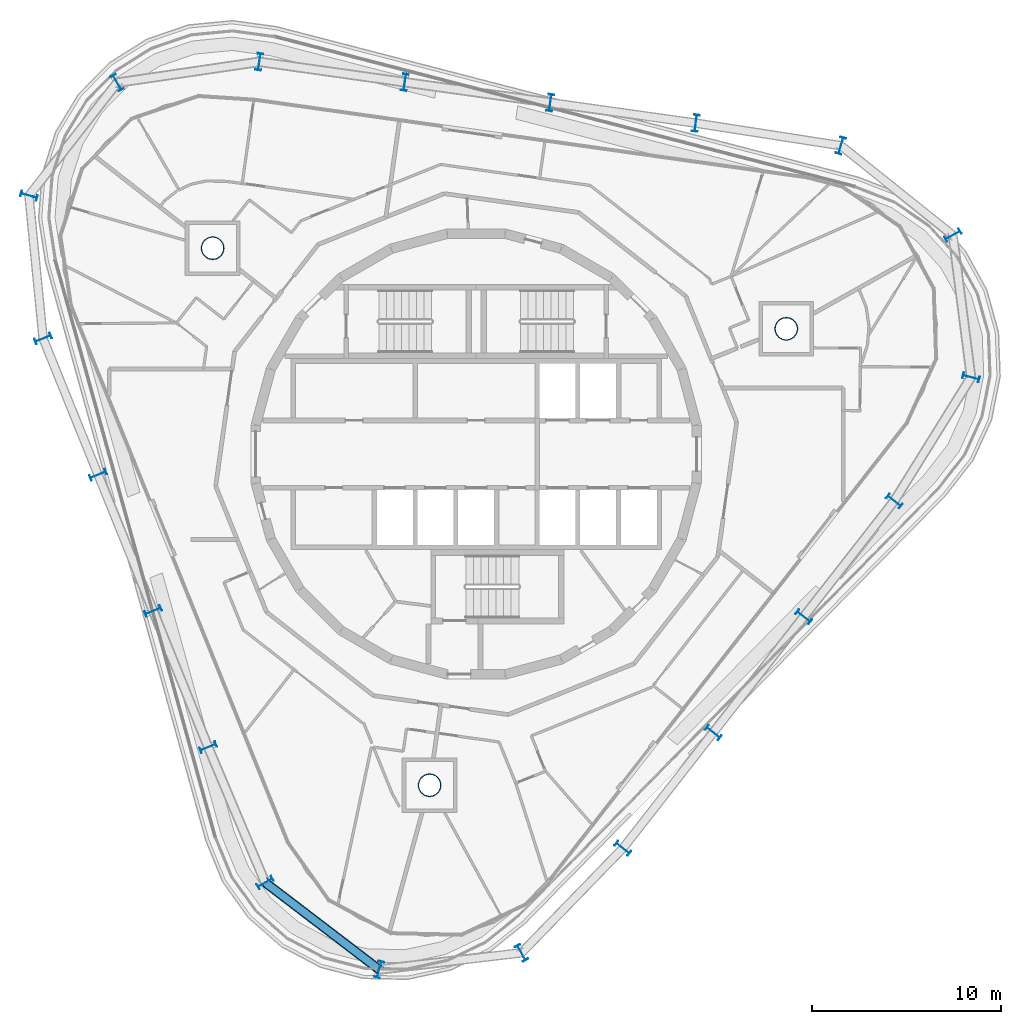
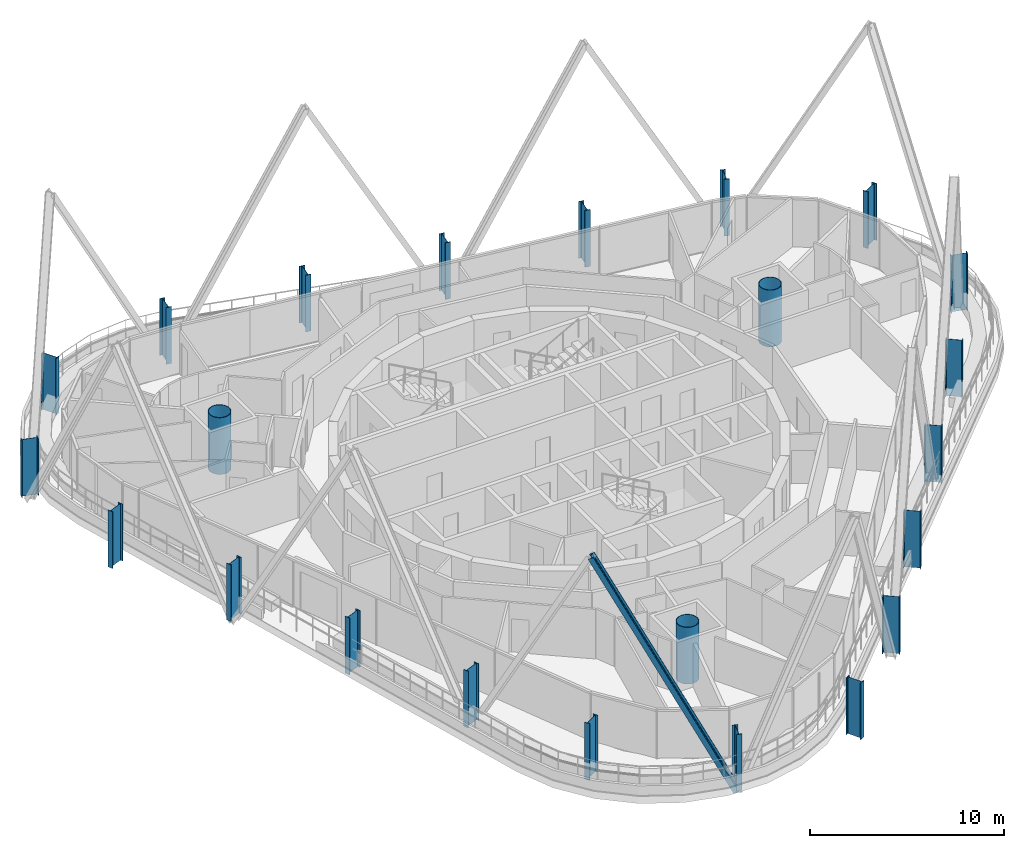
# One storey, part 1 of 17: 23 columns, 1 member.
"""IFC4 building model written with IfcOpenShell, lengths in metres."""

from ifc_helpers import new_model, si_unit, direction, frame, origin, origin_2d, place, context, subcontext, project, spatial, hollow_circle, i_section, extrude, material, material_profile, profile_set, type_object, element, save


model = new_model("IFC4")

# Units and contexts
model_context = context("Model", 3, precision=1e-05, world=origin(), true_north=direction((0.0, 1.0)))
body_context = subcontext(model_context, "Body", "Model", "MODEL_VIEW")
ifc_project = project(units=[si_unit("LENGTHUNIT", "METRE"), si_unit("AREAUNIT", "SQUARE_METRE"), si_unit("VOLUMEUNIT", "CUBIC_METRE"), si_unit("PLANEANGLEUNIT", "RADIAN"), si_unit("MASSUNIT", "GRAM", prefix="KILO")], contexts=[model_context])

# Site, building, storey
site_placement = place(None, origin())
site = spatial("IfcSite", under=ifc_project, at=site_placement, CompositionType="ELEMENT")
building_placement = place(site_placement, origin())
building = spatial("IfcBuilding", under=site, at=building_placement, Name="Spindle Arch Residences", CompositionType="ELEMENT")
storey_placement = place(building_placement, frame((0.0, 0.0, 333.0)))
storey = spatial("IfcBuildingStorey", under=building, at=storey_placement, Name="L85", CompositionType="ELEMENT", Elevation=333.0)

# Columns
ifc_material_1 = material(Name="Steel S460ML, intumescent coating R 240", Category="steel")
ifc_material_profile_1 = material_profile(ifc_material_1, i_section(OverallWidth=0.300048828125, OverallDepth=0.89990234375, WebThickness=0.0185546875, FlangeThickness=0.034912109375, FilletRadius=0.030029296875, at=origin_2d()), Name="HEB 900")
ifc_profile_set_1 = profile_set([ifc_material_profile_1], Name="Steel S460ML, intumescent coating R 240")
column_type_1 = type_object("IfcColumnType", Name="Exoskeleton post HEB 900", PredefinedType="COLUMN", material=ifc_profile_set_1)
for number, where, z_axis, x_axis, name in (
    (1, (17.314208984375, -8.60009765625, -0.449951171875), (0.0, 0.0, 1.0), (-0.615661060634, -0.788011077599, 0.0), "Exoskeleton post 1"),
    (2, (22.09521484375, -2.480712890625, -0.449951171875), (0.0, 0.0, 1.0), (-0.615661060634, -0.788011077599, 0.0), "Exoskeleton post 2"),
    (3, (26.15869140625, 4.05712890625, -0.449951171875), (0.0, 0.0, 1.0), (-0.253940928912, -0.967219729236, 0.0), "Exoskeleton post 3"),
    (4, (25.19384765625, 11.571044921875, -0.449951171875), (0.0, 0.0, 1.0), (0.490023975195, -0.871708955865, 0.0), "Exoskeleton post 4"),
    (5, (19.27587890625, 16.30078125, -0.449951171875), (0.0, 0.0, 1.0), (0.958298489612, -0.285769146005, 0.0), "Exoskeleton post 5"),
    (6, (11.607421875, 17.4931640625, -0.449951171875), (0.0, 0.0, 1.0), (0.990268081324, -0.139173011432, 0.0), "Exoskeleton post 6"),
    (7, (3.91748046875, 18.573974609375, -0.449951171875), (0.0, 0.0, 1.0), (0.990268081324, -0.139173011432, 0.0), "Exoskeleton post 7"),
    (8, (-3.772705078125, 19.65478515625, -0.449951171875), (0.0, 0.0, 1.0), (0.990268081324, -0.139173011432, 0.0), "Exoskeleton post 8"),
    (9, (-11.462646484375, 20.735595703125, -0.449951171875), (0.0, 0.0, 1.0), (0.990268081324, -0.139173011432, 0.0), "Exoskeleton post 9"),
    (10, (-18.9755859375, 19.632080078125, -0.449951171875), (0.0, 0.0, 1.0), (0.866256848037, 0.499598912358, 0.0), "Exoskeleton post 10"),
    (11, (-23.6396484375, 13.662353515625, -0.449951171875), (0.0, 0.0, 1.0), (0.275193000466, 0.96138900165, 0.0), "Exoskeleton post 11"),
    (12, (-22.892578125, 6.105712890625, -0.449951171875), (0.0, 0.0, 1.0), (-0.374606892434, 0.927183733755, 0.0), "Exoskeleton post 12"),
    (13, (-19.983642578125, -1.094482421875, -0.449951171875), (0.0, 0.0, 1.0), (-0.374606892434, 0.927183733755, 0.0), "Exoskeleton post 13"),
    (14, (-17.07470703125, -8.29443359375, -0.449951171875), (0.0, 0.0, 1.0), (-0.374606892434, 0.927183733755, 0.0), "Exoskeleton post 14"),
    (15, (-14.16552734375, -15.49462890625, -0.449951171875), (0.0, 0.0, 1.0), (-0.374606892434, 0.927183733755, 0.0), "Exoskeleton post 15"),
    (16, (-11.1533203125, -22.64697265625, -0.449951171875), (0.0, 0.0, 1.0), (-0.509114042361, 0.86069907161, 0.0), "Exoskeleton post 16"),
    (17, (-5.13232421875, -27.244873046875, -0.449951171875), (0.0, 0.0, 1.0), (-0.964362923017, 0.264582978873, 0.0), "Exoskeleton post 17"),
    (18, (2.391845703125, -26.363037109375, -0.449951171875), (0.0, 0.0, 1.0), (-0.877055410309, -0.480389224741, 0.0), "Exoskeleton post 18"),
    (19, (7.752197265625, -20.838623046875, -0.449951171875), (0.0, 0.0, 1.0), (-0.615661060634, -0.788011077599, 0.0), "Exoskeleton post 19"),
    (20, (12.533203125, -14.71923828125, -0.449951171875), (0.0, 0.0, 1.0), (-0.615661060634, -0.788011077599, 0.0), "Exoskeleton post 20"),
):
    element("IfcColumn", number, at=place(storey_placement, frame(where, z_axis=z_axis, x_axis=x_axis)), inside=storey, type_object=column_type_1, Name=name, PredefinedType="COLUMN", context=body_context, shape_type="SweptSolid", body=[
        extrude(i_section(OverallWidth=0.300048828125, OverallDepth=0.89990234375, WebThickness=0.0185546875, FlangeThickness=0.034912109375, FilletRadius=0.030029296875, at=origin_2d()), origin(), (0.0, 0.0, 1.0), 3.570068359375),
    ])
ifc_material_2 = material(Name="Concrete C50/60 filled steel tube S460ML, intumescent coating R 240", Category="concrete")
ifc_material_profile_2 = material_profile(ifc_material_2, hollow_circle(Radius=0.60009765625, WallThickness=0.030029296875, at=origin_2d()), Name="CFT D1200x30")
ifc_profile_set_2 = profile_set([ifc_material_profile_2], Name="Concrete C50/60 filled steel tube S460ML, intumescent coating R 240")
column_type_2 = type_object("IfcColumnType", Name="Mega-column CFT D1200x30", PredefinedType="COLUMN", material=ifc_profile_set_2)
for number, where, z_axis, x_axis, name in (
    (21, (16.3896484375, 6.621826171875, -0.449951171875), (0.0, 0.0, 1.0), (1.0, 0.0, 0.0), "Mega-column 1"),
    (22, (-13.929443359375, 10.883056640625, -0.449951171875), (0.0, 0.0, 1.0), (1.0, 0.0, 0.0), "Mega-column 2"),
    (23, (-2.460205078125, -17.5048828125, -0.449951171875), (0.0, 0.0, 1.0), (1.0, 0.0, 0.0), "Mega-column 3"),
):
    element("IfcColumn", number, at=place(storey_placement, frame(where, z_axis=z_axis, x_axis=x_axis)), inside=storey, type_object=column_type_2, Name=name, PredefinedType="COLUMN", context=body_context, shape_type="SweptSolid", body=[
        extrude(hollow_circle(Radius=0.60009765625, WallThickness=0.030029296875, at=origin_2d()), origin(), (0.0, 0.0, 1.0), 3.570068359375),
    ])

# Member
ifc_material_3 = material(Name="Steel S460ML, intumescent coating R 240", Category="steel")
ifc_material_profile_3 = material_profile(ifc_material_3, i_section(OverallWidth=0.300048828125, OverallDepth=0.5, WebThickness=0.014404296875, FlangeThickness=0.028076171875, FilletRadius=0.027099609375, at=origin_2d()), Name="HEB 500")
ifc_profile_set_3 = profile_set([ifc_material_profile_3], Name="Steel S460ML, intumescent coating R 240")
member_type = type_object("IfcMemberType", Name="Diagrid diagonal HEB 500", PredefinedType="BRACE", material=ifc_profile_set_3)
member_placement = place(storey_placement, frame((-5.13232421875, -27.244873046875, -0.699951171875), z_axis=(-0.376783599646, 0.287728713492, 0.880480724645), x_axis=(0.69977500339, -0.534379313878, 0.474081948116)))
element("IfcMember", 24, at=member_placement, inside=storey, type_object=member_type, Name="Diagrid diagonal 9.1.16", PredefinedType="BRACE", context=body_context, shape_type="SweptSolid", body=[
    extrude(i_section(OverallWidth=0.300048828125, OverallDepth=0.5, WebThickness=0.014404296875, FlangeThickness=0.028076171875, FilletRadius=0.027099609375, at=origin_2d()), origin(), (0.0, 0.0, 1.0), 15.97998046875),
])

save(model, "model.ifc")
